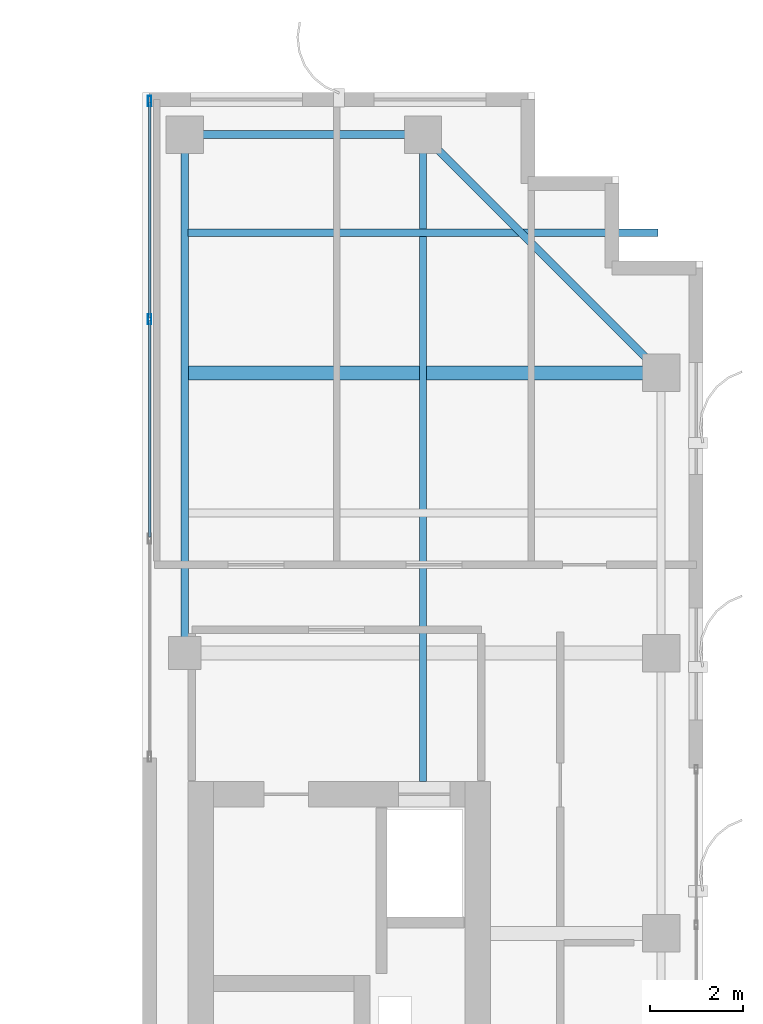
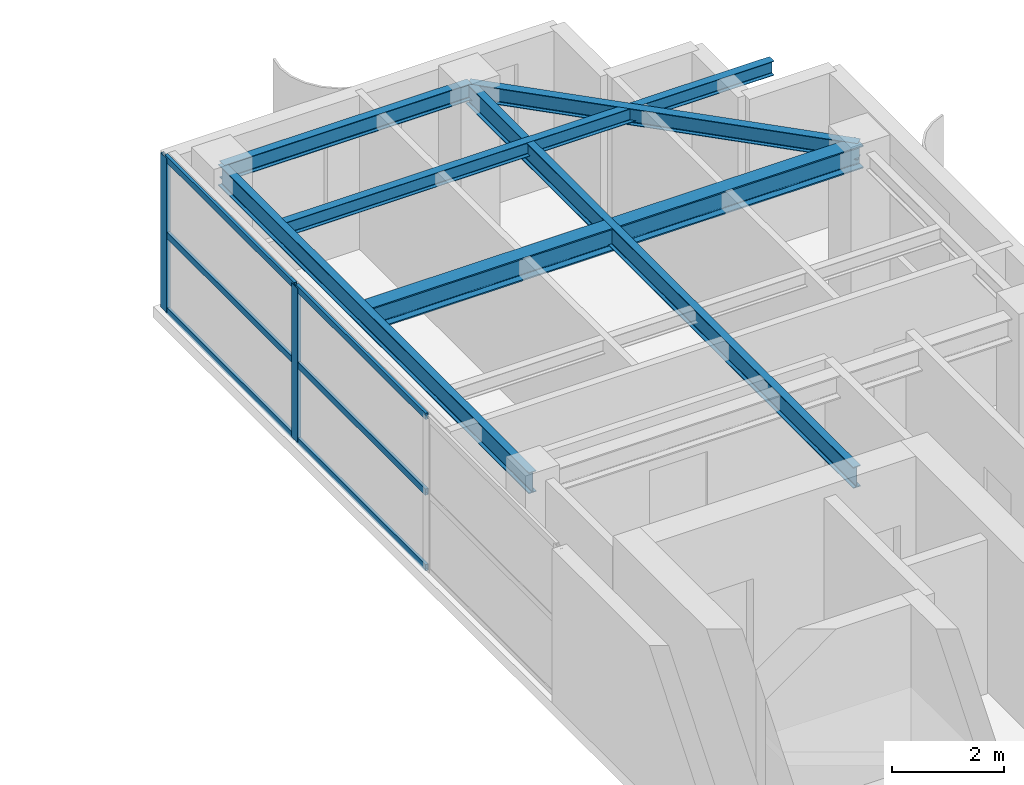
# One storey, part 15 of 22: 8 members, 6 beams, 1 element without a shape of its own.
"""IFC4 building model written with IfcOpenShell, lengths in metres."""

from ifc_helpers import new_model, si_unit, direction, frame, origin, origin_2d, place, context, subcontext, project, spatial, hollow_rectangle, i_section, extrude, source, transform, mapped, material, layer, layer_set, material_profile, profile_set, type_object, element, aggregate, save


model = new_model("IFC4")

# Units and contexts
model_context = context("Model", 3, precision=1e-05, world=origin(), true_north=direction((0.0, 1.0)))
body_context = subcontext(model_context, "Body", "Model", "MODEL_VIEW")
ifc_project = project(units=[si_unit("LENGTHUNIT", "METRE"), si_unit("AREAUNIT", "SQUARE_METRE"), si_unit("VOLUMEUNIT", "CUBIC_METRE"), si_unit("PLANEANGLEUNIT", "RADIAN"), si_unit("MASSUNIT", "GRAM", prefix="KILO")], contexts=[model_context])

# Site, building, storey
site_placement = place(None, origin())
site = spatial("IfcSite", under=ifc_project, at=site_placement, CompositionType="ELEMENT")
building_placement = place(site_placement, origin())
building = spatial("IfcBuilding", under=site, at=building_placement, Name="Khoralis Quay Care Tower", CompositionType="ELEMENT")
storey_placement = place(building_placement, frame((0.0, 0.0, 242.10009765625)))
storey = spatial("IfcBuildingStorey", under=building, at=storey_placement, Name="L63", CompositionType="ELEMENT", Elevation=242.10009765625)

# Beams
ifc_material_1 = material(Name="Steel S355", Category="steel")
ifc_material_profile_1 = material_profile(ifc_material_1, i_section(OverallWidth=0.169921875, OverallDepth=0.360107421875, WebThickness=0.008056640625, FlangeThickness=0.0126953125, FilletRadius=0.01806640625, at=origin_2d()), Name="Steel S355")
ifc_profile_set_1 = profile_set([ifc_material_profile_1], Name="Steel S355")
beam_type_1 = type_object("IfcBeamType", Name="BM-IPE360", PredefinedType="SPANDREL", material=ifc_profile_set_1)
shared_shape_1 = source(origin(), body_context, "Body", "SweptSolid", [
    extrude(i_section(OverallWidth=0.169921875, OverallDepth=0.360107421875, WebThickness=0.008056640625, FlangeThickness=0.0126953125, FilletRadius=0.01806640625, at=origin_2d()), origin(), (0.0, 0.0, 1.0), 5.10009765625),
])
beam_1_placement = place(storey_placement, frame((30.89990234375, 41.10009765625, 3.179931640625), z_axis=(1.0, 0.0, 0.0), x_axis=(0.0, 1.0, 0.0)))
element("IfcBeam", 1, at=beam_1_placement, inside=storey, type_object=beam_type_1, Name="BM-TSP-L63-04", PredefinedType="SPANDREL", context=body_context, shape_type="MappedRepresentation", body=[
    mapped(shared_shape_1, transform((0.0, 0.0, 0.0), scale=1.0)),
])
ifc_material_profile_2 = material_profile(ifc_material_1, i_section(OverallWidth=0.154052734375, OverallDepth=0.458984375, WebThickness=0.009033203125, FlangeThickness=0.015380859375, FilletRadius=0.014892578125, at=origin_2d()), Name="Steel S355")
ifc_profile_set_2 = profile_set([ifc_material_profile_2], Name="Steel S355")
beam_type_2 = type_object("IfcBeamType", Name="BM-W460X68", PredefinedType="BEAM", material=ifc_profile_set_2)
shared_shape_2 = source(origin(), body_context, "Body", "SweptSolid", [
    extrude(i_section(OverallWidth=0.154052734375, OverallDepth=0.458984375, WebThickness=0.009033203125, FlangeThickness=0.015380859375, FilletRadius=0.014892578125, at=origin_2d()), origin(), (0.0, 0.0, 1.0), 11.10009765625),
])
beam_2_placement = place(storey_placement, frame((30.89990234375, 30.0, 3.13037109375), z_axis=(0.0, 1.0, 0.0), x_axis=(-1.0, 0.0, 0.0)))
element("IfcBeam", 2, at=beam_2_placement, inside=storey, type_object=beam_type_2, Name="BM-TGYN-L63-309", PredefinedType="BEAM", context=body_context, shape_type="MappedRepresentation", body=[
    mapped(shared_shape_2, transform((0.0, 0.0, 0.0), scale=1.0)),
])
shared_shape_3 = source(origin(), body_context, "Body", "SweptSolid", [
    extrude(i_section(OverallWidth=0.169921875, OverallDepth=0.360107421875, WebThickness=0.008056640625, FlangeThickness=0.0126953125, FilletRadius=0.01806640625, at=origin_2d()), origin(), (0.0, 0.0, 1.0), 7.212646484375),
])
beam_3_placement = place(storey_placement, frame((36.0, 41.10009765625, 3.179931640625), z_axis=(0.707106781187, -0.707106781187, 0.0), x_axis=(0.707106781187, 0.707106781187, 0.0)))
element("IfcBeam", 3, at=beam_3_placement, inside=storey, type_object=beam_type_1, Name="BM-TCR-L63-16", PredefinedType="SPANDREL", context=body_context, shape_type="MappedRepresentation", body=[
    mapped(shared_shape_3, transform((0.0, 0.0, 0.0), scale=1.0)),
])
ifc_material_profile_3 = material_profile(ifc_material_1, i_section(OverallWidth=0.300048828125, OverallDepth=0.5, WebThickness=0.014404296875, FlangeThickness=0.028076171875, FilletRadius=0.027099609375, at=origin_2d()), Name="Steel S355")
ifc_profile_set_3 = profile_set([ifc_material_profile_3], Name="Steel S355")
beam_type_3 = type_object("IfcBeamType", Name="BM-HEB500", PredefinedType="BEAM", material=ifc_profile_set_3)
shared_shape_4 = source(origin(), body_context, "Body", "SweptSolid", [
    extrude(i_section(OverallWidth=0.300048828125, OverallDepth=0.5, WebThickness=0.014404296875, FlangeThickness=0.028076171875, FilletRadius=0.027099609375, at=origin_2d()), origin(), (0.0, 0.0, 1.0), 10.135009765625),
])
beam_4_placement = place(storey_placement, frame((30.965087890625, 36.0, 3.10986328125), z_axis=(1.0, 0.0, 0.0), x_axis=(0.0, 1.0, 0.0)))
element("IfcBeam", 4, at=beam_4_placement, inside=storey, type_object=beam_type_3, Name="BM-TGXE-L63-360", PredefinedType="BEAM", context=body_context, shape_type="MappedRepresentation", body=[
    mapped(shared_shape_4, transform((0.0, 0.0, 0.0), scale=1.0)),
])
shared_shape_5 = source(origin(), body_context, "Body", "SweptSolid", [
    extrude(i_section(OverallWidth=0.154052734375, OverallDepth=0.458984375, WebThickness=0.009033203125, FlangeThickness=0.015380859375, FilletRadius=0.014892578125, at=origin_2d()), origin(), (0.0, 0.0, 1.0), 13.85205078125),
])
beam_5_placement = place(storey_placement, frame((36.0, 27.248046875, 3.13037109375), z_axis=(0.0, 1.0, 0.0), x_axis=(-1.0, 0.0, 0.0)))
element("IfcBeam", 5, at=beam_5_placement, inside=storey, type_object=beam_type_2, Name="BM-TGYN-L63-360", PredefinedType="BEAM", context=body_context, shape_type="MappedRepresentation", body=[
    mapped(shared_shape_5, transform((0.0, 0.0, 0.0), scale=1.0)),
])
ifc_material_profile_4 = material_profile(ifc_material_1, i_section(OverallWidth=0.1650390625, OverallDepth=0.31005859375, WebThickness=0.005859375, FlangeThickness=0.009765625, FilletRadius=0.011962890625, at=origin_2d()), Name="Steel S355")
ifc_profile_set_4 = profile_set([ifc_material_profile_4], Name="Steel S355")
beam_type_4 = type_object("IfcBeamType", Name="BM-W310X39", PredefinedType="JOIST", material=ifc_profile_set_4)
shared_shape_6 = source(origin(), body_context, "Body", "SweptSolid", [
    extrude(i_section(OverallWidth=0.1650390625, OverallDepth=0.31005859375, WebThickness=0.005859375, FlangeThickness=0.009765625, FilletRadius=0.011962890625, at=origin_2d()), origin(), (0.0, 0.0, 1.0), 10.06396484375),
])
beam_6_placement = place(storey_placement, frame((30.965087890625, 39.0, 3.204833984375), z_axis=(1.0, 0.0, 0.0), x_axis=(0.0, 1.0, 0.0)))
element("IfcBeam", 6, at=beam_6_placement, inside=storey, type_object=beam_type_4, Name="BM-TJS-L63-22", PredefinedType="JOIST", context=body_context, shape_type="MappedRepresentation", body=[
    mapped(shared_shape_6, transform((0.0, 0.0, 0.0), scale=1.0)),
])

# Curtain wall, members
ifc_material_2 = material(Name="Pale anodised aluminium", Category="aluminium")
ifc_layer = layer(ifc_material_2, 0.18994140625)
ifc_layer_set = layer_set([ifc_layer], Name="Pale anodised aluminium")
curtain_wall_type = type_object("IfcCurtainWallType", Name="CW-SYS-PORTAL", PredefinedType="NOTDEFINED", material=ifc_layer_set)
curtain_wall_placement = place(storey_placement, origin())
curtain_wall = element("IfcCurtainWall", 7, at=curtain_wall_placement, inside=storey, type_object=curtain_wall_type, Name="L63 Unitised Curtain Wall CW-VP-L63-P2-N", PredefinedType="NOTDEFINED")
ifc_material_profile_5 = material_profile(ifc_material_2, hollow_rectangle(XDim=0.06005859375, YDim=0.139892578125, WallThickness=0.00390625, at=origin_2d()), Name="Pale anodised aluminium")
ifc_profile_set_5 = profile_set([ifc_material_profile_5], Name="Pale anodised aluminium")
member_type_1 = type_object("IfcMemberType", Name="CW-TRN-140", PredefinedType="USERDEFINED", material=ifc_profile_set_5)
shared_shape_7 = source(origin(), body_context, "Body", "SweptSolid", [
    extrude(hollow_rectangle(XDim=0.06005859375, YDim=0.139892578125, WallThickness=0.00390625, at=origin_2d()), origin(), (0.0, 0.0, 1.0), 4.610107421875),
])
member_1_placement = place(storey_placement, frame((30.14990234375, 37.179931640625, 0.02978515625), z_axis=(0.0, 1.0, 0.0), x_axis=(-1.0, 0.0, 0.0)))
member_1 = element("IfcMember", 8, at=member_1_placement, type_object=member_type_1, Name="CW4 transom 3.1", ObjectType="TRANSOM", PredefinedType="USERDEFINED", context=body_context, shape_type="MappedRepresentation", body=[
    mapped(shared_shape_7, transform((0.0, 0.0, 0.0), scale=1.0)),
])
member_2_placement = place(storey_placement, frame((30.14990234375, 37.179931640625, 1.679931640625), z_axis=(0.0, 1.0, 0.0), x_axis=(-1.0, 0.0, 0.0)))
member_2 = element("IfcMember", 9, at=member_2_placement, type_object=member_type_1, Name="CW4 transom 3.2", ObjectType="TRANSOM", PredefinedType="USERDEFINED", context=body_context, shape_type="MappedRepresentation", body=[
    mapped(shared_shape_7, transform((0.0, 0.0, 0.0), scale=1.0)),
])
member_3_placement = place(storey_placement, frame((30.14990234375, 37.179931640625, 3.329833984375), z_axis=(0.0, 1.0, 0.0), x_axis=(-1.0, 0.0, 0.0)))
member_3 = element("IfcMember", 10, at=member_3_placement, type_object=member_type_1, Name="CW4 transom 3.3", ObjectType="TRANSOM", PredefinedType="USERDEFINED", context=body_context, shape_type="MappedRepresentation", body=[
    mapped(shared_shape_7, transform((0.0, 0.0, 0.0), scale=1.0)),
])
shared_shape_8 = source(origin(), body_context, "Body", "SweptSolid", [
    extrude(hollow_rectangle(XDim=0.06005859375, YDim=0.139892578125, WallThickness=0.00390625, at=origin_2d()), origin(), (0.0, 0.0, 1.0), 4.64013671875),
])
member_4_placement = place(storey_placement, frame((30.14990234375, 32.47998046875, 0.02978515625), z_axis=(0.0, 1.0, 0.0), x_axis=(-1.0, 0.0, 0.0)))
member_4 = element("IfcMember", 11, at=member_4_placement, type_object=member_type_1, Name="CW4 transom 2.1", ObjectType="TRANSOM", PredefinedType="USERDEFINED", context=body_context, shape_type="MappedRepresentation", body=[
    mapped(shared_shape_8, transform((0.0, 0.0, 0.0), scale=1.0)),
])
member_5_placement = place(storey_placement, frame((30.14990234375, 32.47998046875, 1.679931640625), z_axis=(0.0, 1.0, 0.0), x_axis=(-1.0, 0.0, 0.0)))
member_5 = element("IfcMember", 12, at=member_5_placement, type_object=member_type_1, Name="CW4 transom 2.2", ObjectType="TRANSOM", PredefinedType="USERDEFINED", context=body_context, shape_type="MappedRepresentation", body=[
    mapped(shared_shape_8, transform((0.0, 0.0, 0.0), scale=1.0)),
])
member_6_placement = place(storey_placement, frame((30.14990234375, 32.47998046875, 3.329833984375), z_axis=(0.0, 1.0, 0.0), x_axis=(-1.0, 0.0, 0.0)))
member_6 = element("IfcMember", 13, at=member_6_placement, type_object=member_type_1, Name="CW4 transom 2.3", ObjectType="TRANSOM", PredefinedType="USERDEFINED", context=body_context, shape_type="MappedRepresentation", body=[
    mapped(shared_shape_8, transform((0.0, 0.0, 0.0), scale=1.0)),
])
ifc_material_profile_6 = material_profile(ifc_material_2, hollow_rectangle(XDim=0.074951171875, YDim=0.219970703125, WallThickness=0.00390625, at=origin_2d()), Name="Pale anodised aluminium")
ifc_profile_set_6 = profile_set([ifc_material_profile_6], Name="Pale anodised aluminium")
member_type_2 = type_object("IfcMemberType", Name="CW-MUL-220", PredefinedType="MULLION", material=ifc_profile_set_6)
shared_shape_9 = source(origin(), body_context, "Body", "SweptSolid", [
    extrude(hollow_rectangle(XDim=0.074951171875, YDim=0.219970703125, WallThickness=0.00390625, at=origin_2d()), origin(), (0.0, 0.0, 1.0), 3.35986328125),
])
member_7_placement = place(storey_placement, frame((30.14990234375, 37.14990234375, 0.0), z_axis=(0.0, 0.0, 1.0), x_axis=(-1.0, 0.0, 0.0)))
member_7 = element("IfcMember", 14, at=member_7_placement, type_object=member_type_2, Name="CW4 mullion 3", PredefinedType="MULLION", context=body_context, shape_type="MappedRepresentation", body=[
    mapped(shared_shape_9, transform((0.0, 0.0, 0.0), scale=1.0)),
])
member_8_placement = place(storey_placement, frame((30.14990234375, 41.820068359375, 0.0), z_axis=(0.0, 0.0, 1.0), x_axis=(-1.0, 0.0, 0.0)))
member_8 = element("IfcMember", 15, at=member_8_placement, type_object=member_type_2, Name="CW4 mullion 4", PredefinedType="MULLION", context=body_context, shape_type="MappedRepresentation", body=[
    mapped(shared_shape_9, transform((0.0, 0.0, 0.0), scale=1.0)),
])
aggregate(curtain_wall, [member_7, member_8, member_4, member_5, member_6, member_1, member_2, member_3])

save(model, "model.ifc")
